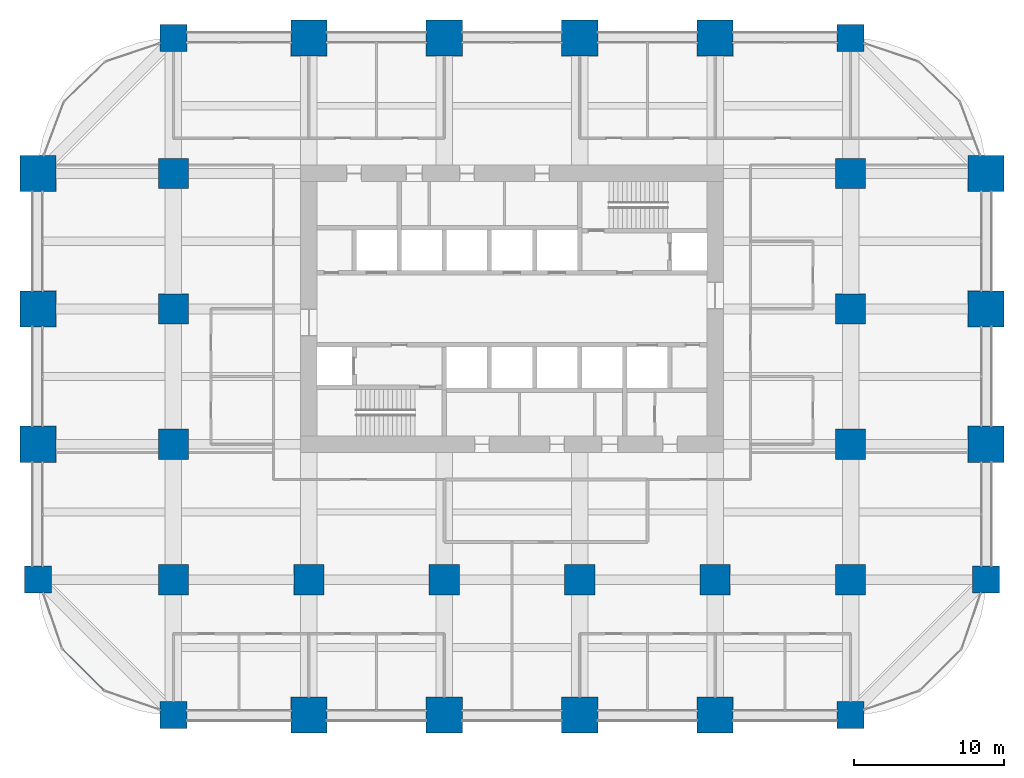
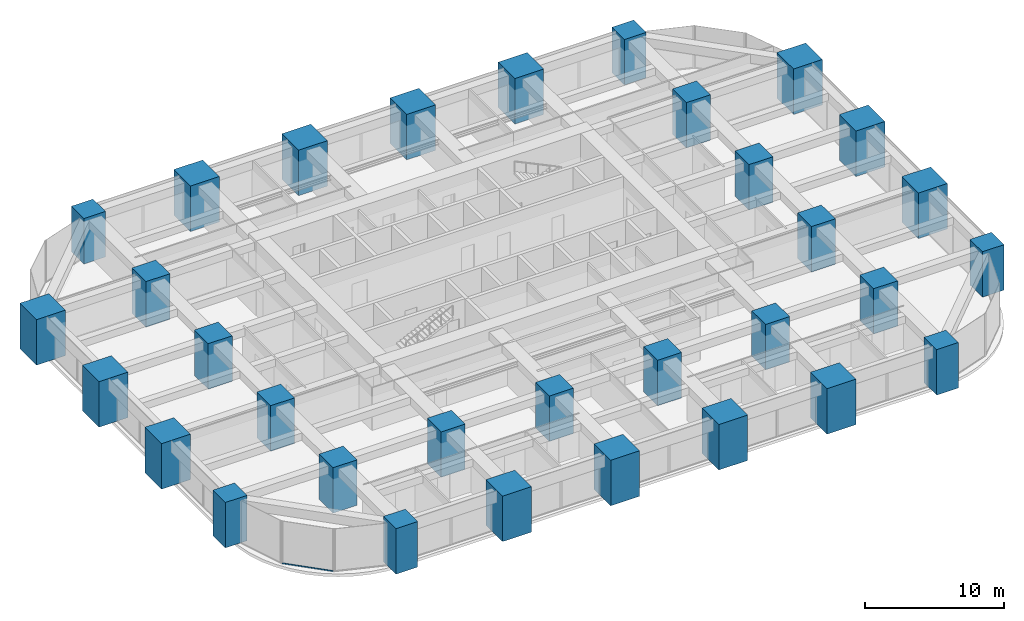
# One storey, part 1 of 41: 32 columns, 1 member, 1 element without a shape of its own.
"""IFC4 building model written with IfcOpenShell, lengths in metres."""

from ifc_helpers import new_model, si_unit, direction, frame, origin, origin_2d, place, context, subcontext, project, spatial, rectangle, hollow_rectangle, extrude, material, material_profile, profile_set, type_object, element, aggregate, save


model = new_model("IFC4")

# Units and contexts
model_context = context("Model", 3, precision=1e-05, world=origin(), true_north=direction((0.0, 1.0)))
body_context = subcontext(model_context, "Body", "Model", "MODEL_VIEW")
ifc_project = project(units=[si_unit("LENGTHUNIT", "METRE"), si_unit("AREAUNIT", "SQUARE_METRE"), si_unit("VOLUMEUNIT", "CUBIC_METRE"), si_unit("PLANEANGLEUNIT", "RADIAN"), si_unit("MASSUNIT", "GRAM", prefix="KILO")], contexts=[model_context])

# Site, building, storey
site_placement = place(None, origin())
site = spatial("IfcSite", under=ifc_project, at=site_placement, CompositionType="ELEMENT")
building_placement = place(site_placement, origin())
building = spatial("IfcBuilding", under=site, at=building_placement, Name="Zorevar Civic Tower", CompositionType="ELEMENT")
storey_placement = place(building_placement, frame((0.0, 0.0, 105.0)))
storey = spatial("IfcBuildingStorey", under=building, at=storey_placement, Name="L25", CompositionType="ELEMENT", Elevation=105.0)

# Columns
ifc_material_1 = material(Name="Concrete C50/60", Category="concrete")
ifc_material_profile_1 = material_profile(ifc_material_1, rectangle(XDim=1.800048828125, YDim=1.800048828125, at=origin_2d()), Name="RC 1800x1800")
ifc_profile_set_1 = profile_set([ifc_material_profile_1], Name="Concrete C50/60")
column_type_1 = type_object("IfcColumnType", Name="Column RC 1800x1800", PredefinedType="COLUMN", material=ifc_profile_set_1)
for number, where, z_axis, x_axis, name in (
    (1, (0.0, 9.0, 0.0), (0.0, 0.0, 1.0), (1.0, 0.0, 0.0), "Column 2B L25"),
    (2, (9.0, 0.0, 0.0), (0.0, 0.0, 1.0), (1.0, 0.0, 0.0), "Column 3A L25"),
    (3, (9.0, 45.0, 0.0), (0.0, 0.0, 1.0), (1.0, 0.0, 0.0), "Column 3F L25"),
    (4, (54.0, 0.0, 0.0), (0.0, 0.0, 1.0), (1.0, 0.0, 0.0), "Column 8A L25"),
    (5, (54.0, 45.0, 0.0), (0.0, 0.0, 1.0), (1.0, 0.0, 0.0), "Column 8F L25"),
    (6, (63.0, 9.0, 0.0), (0.0, 0.0, 1.0), (1.0, 0.0, 0.0), "Column 9B L25"),
):
    element("IfcColumn", number, at=place(storey_placement, frame(where, z_axis=z_axis, x_axis=x_axis)), inside=storey, type_object=column_type_1, Name=name, PredefinedType="COLUMN", context=body_context, shape_type="SweptSolid", body=[
        extrude(rectangle(XDim=1.800048828125, YDim=1.800048828125, at=origin_2d()), origin(), (0.0, 0.0, 1.0), 4.0),
    ])
ifc_material_2 = material(Name="Concrete C50/60", Category="concrete")
ifc_material_profile_2 = material_profile(ifc_material_2, rectangle(XDim=2.0, YDim=2.0, at=origin_2d()), Name="RC 2000x2000")
ifc_profile_set_2 = profile_set([ifc_material_profile_2], Name="Concrete C50/60")
column_type_2 = type_object("IfcColumnType", Name="Column RC 2000x2000", PredefinedType="COLUMN", material=ifc_profile_set_2)
for number, where, z_axis, x_axis, name in (
    (7, (9.0, 9.0, 0.0), (0.0, 0.0, 1.0), (1.0, 0.0, 0.0), "Column 3B L25"),
    (8, (9.0, 18.0, 0.0), (0.0, 0.0, 1.0), (1.0, 0.0, 0.0), "Column 3C L25"),
    (9, (9.0, 27.0, 0.0), (0.0, 0.0, 1.0), (1.0, 0.0, 0.0), "Column 3D L25"),
    (10, (9.0, 36.0, 0.0), (0.0, 0.0, 1.0), (1.0, 0.0, 0.0), "Column 3E L25"),
    (11, (18.0, 9.0, 0.0), (0.0, 0.0, 1.0), (1.0, 0.0, 0.0), "Column 4B L25"),
    (12, (27.0, 9.0, 0.0), (0.0, 0.0, 1.0), (1.0, 0.0, 0.0), "Column 5B L25"),
    (13, (36.0, 9.0, 0.0), (0.0, 0.0, 1.0), (1.0, 0.0, 0.0), "Column 6B L25"),
    (14, (45.0, 9.0, 0.0), (0.0, 0.0, 1.0), (1.0, 0.0, 0.0), "Column 7B L25"),
    (15, (54.0, 9.0, 0.0), (0.0, 0.0, 1.0), (1.0, 0.0, 0.0), "Column 8B L25"),
    (16, (54.0, 18.0, 0.0), (0.0, 0.0, 1.0), (1.0, 0.0, 0.0), "Column 8C L25"),
    (17, (54.0, 27.0, 0.0), (0.0, 0.0, 1.0), (1.0, 0.0, 0.0), "Column 8D L25"),
    (18, (54.0, 36.0, 0.0), (0.0, 0.0, 1.0), (1.0, 0.0, 0.0), "Column 8E L25"),
):
    element("IfcColumn", number, at=place(storey_placement, frame(where, z_axis=z_axis, x_axis=x_axis)), inside=storey, type_object=column_type_2, Name=name, PredefinedType="COLUMN", context=body_context, shape_type="SweptSolid", body=[
        extrude(rectangle(XDim=2.0, YDim=2.0, at=origin_2d()), origin(), (0.0, 0.0, 1.0), 4.0),
    ])
ifc_material_3 = material(Name="Concrete C50/60", Category="concrete")
ifc_material_profile_3 = material_profile(ifc_material_3, rectangle(XDim=2.39990234375, YDim=2.39990234375, at=origin_2d()), Name="RC 2400x2400")
ifc_profile_set_3 = profile_set([ifc_material_profile_3], Name="Concrete C50/60")
column_type_3 = type_object("IfcColumnType", Name="Mega column RC 2400x2400", PredefinedType="COLUMN", material=ifc_profile_set_3)
for number, where, z_axis, x_axis, name in (
    (19, (0.0, 18.0, 0.0), (0.0, 0.0, 1.0), (1.0, 0.0, 0.0), "Column 2C L25"),
    (20, (0.0, 27.0, 0.0), (0.0, 0.0, 1.0), (1.0, 0.0, 0.0), "Column 2D L25"),
    (21, (0.0, 36.0, 0.0), (0.0, 0.0, 1.0), (1.0, 0.0, 0.0), "Column 2E L25"),
    (22, (18.0, 0.0, 0.0), (0.0, 0.0, 1.0), (1.0, 0.0, 0.0), "Column 4A L25"),
    (23, (18.0, 45.0, 0.0), (0.0, 0.0, 1.0), (1.0, 0.0, 0.0), "Column 4F L25"),
    (24, (27.0, 0.0, 0.0), (0.0, 0.0, 1.0), (1.0, 0.0, 0.0), "Column 5A L25"),
    (25, (27.0, 45.0, 0.0), (0.0, 0.0, 1.0), (1.0, 0.0, 0.0), "Column 5F L25"),
    (26, (36.0, 0.0, 0.0), (0.0, 0.0, 1.0), (1.0, 0.0, 0.0), "Column 6A L25"),
    (27, (36.0, 45.0, 0.0), (0.0, 0.0, 1.0), (1.0, 0.0, 0.0), "Column 6F L25"),
    (28, (45.0, 0.0, 0.0), (0.0, 0.0, 1.0), (1.0, 0.0, 0.0), "Column 7A L25"),
    (29, (45.0, 45.0, 0.0), (0.0, 0.0, 1.0), (1.0, 0.0, 0.0), "Column 7F L25"),
    (30, (63.0, 18.0, 0.0), (0.0, 0.0, 1.0), (1.0, 0.0, 0.0), "Column 9C L25"),
    (31, (63.0, 27.0, 0.0), (0.0, 0.0, 1.0), (1.0, 0.0, 0.0), "Column 9D L25"),
    (32, (63.0, 36.0, 0.0), (0.0, 0.0, 1.0), (1.0, 0.0, 0.0), "Column 9E L25"),
):
    element("IfcColumn", number, at=place(storey_placement, frame(where, z_axis=z_axis, x_axis=x_axis)), inside=storey, type_object=column_type_3, Name=name, PredefinedType="COLUMN", context=body_context, shape_type="SweptSolid", body=[
        extrude(rectangle(XDim=2.39990234375, YDim=2.39990234375, at=origin_2d()), origin(), (0.0, 0.0, 1.0), 4.0),
    ])

# Curtain wall, member
ifc_material_4 = material(Name="Dark grey solar-control glass in black aluminium frame", Category="aluminium")
curtain_wall_type = type_object("IfcCurtainWallType", Name="Curtain wall CW3 mid zone", PredefinedType="NOTDEFINED", material=ifc_material_4)
curtain_wall_placement = place(storey_placement, origin())
curtain_wall = element("IfcCurtainWall", 33, at=curtain_wall_placement, inside=storey, type_object=curtain_wall_type, Name="CW3 L25", PredefinedType="NOTDEFINED")
ifc_material_5 = material(Name="Aluminium, black anodised", Category="aluminium")
ifc_material_profile_4 = material_profile(ifc_material_5, hollow_rectangle(XDim=0.06005859375, YDim=0.1201171875, WallThickness=0.0029296875, at=origin_2d()), Name="AL 120x60x3")
ifc_profile_set_4 = profile_set([ifc_material_profile_4], Name="Aluminium, black anodised")
member_type = type_object("IfcMemberType", Name="CW3 transom AL 120x60x3", PredefinedType="USERDEFINED", material=ifc_profile_set_4)
member_placement = place(storey_placement, frame((1.662841796875, 4.349853515625, 0.030029296875), z_axis=(0.707106781187, -0.707106781187, 0.0), x_axis=(0.707106781187, 0.707106781187, 0.0)))
member = element("IfcMember", 34, at=member_placement, type_object=member_type, Name="CW3 sill transom", ObjectType="TRANSOM", PredefinedType="USERDEFINED", context=body_context, shape_type="SweptSolid", body=[
    extrude(hollow_rectangle(XDim=0.06005859375, YDim=0.1201171875, WallThickness=0.0029296875, at=origin_2d()), origin(), (0.0, 0.0, 1.0), 3.800048828125),
])
aggregate(curtain_wall, [member])

save(model, "model.ifc")
